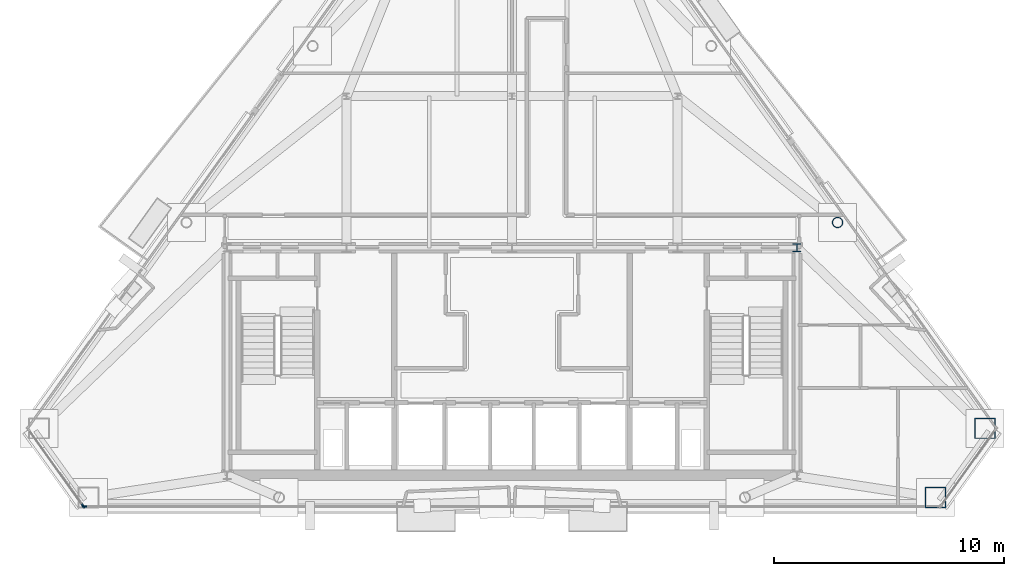
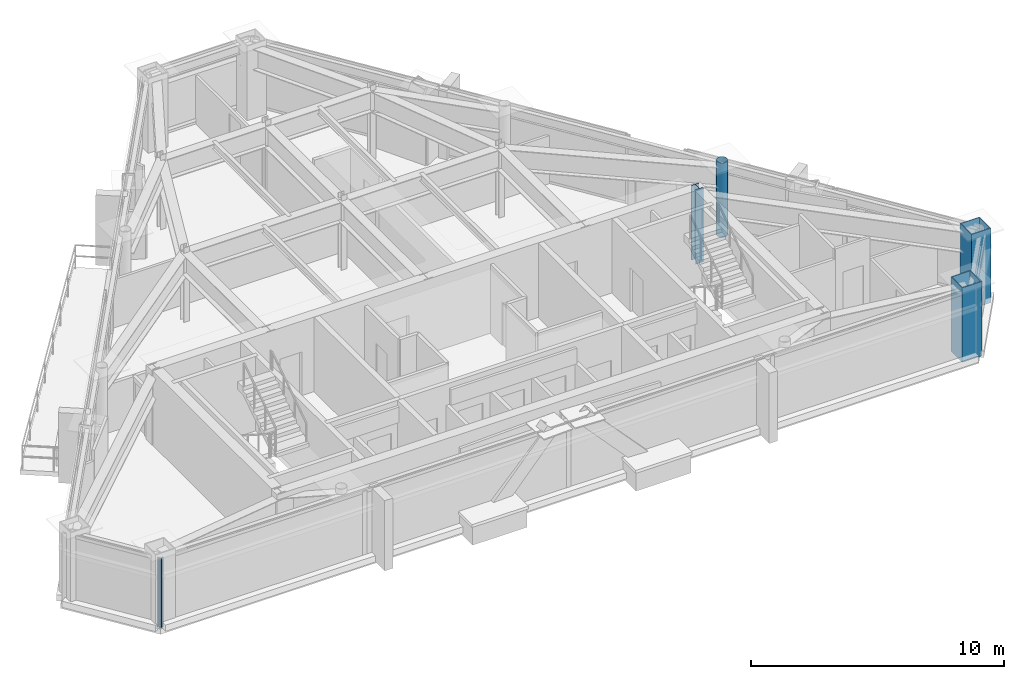
# One storey, part 3 of 12: 4 columns, 2 members, 2 elements without a shape of their own.
"""IFC4 building model written with IfcOpenShell, lengths in metres."""

import ifcopenshell
import ifcopenshell.guid

model = None  # the IFC model being written
_history = None  # IfcOwnerHistory: only IFC2X3 demands one
_inside = {}  # id of a spatial element -> (the spatial element, [elements in it])
_under = {}  # id of a project, library or spatial element -> (it, [spatial elements below it])
_declared = {}  # id of a project -> (the project, [libraries it declares])
_typed = {}  # id of a type object -> (the type object, [elements of that type])
_made_of = {}  # id of a material, layer set ... -> (it, [elements and type objects made of it])


def new_model(schema):
    """Start an empty IFC model of exactly this schema.

    Asked for "IFC4X3", IfcOpenShell would pick the latest addendum, in which some entities
    have other attributes; the version numbers below select the first issue.
    IFC2X3 requires an IfcOwnerHistory on every rooted entity: one is made here for all.
    """
    global model, _history
    if schema == "IFC4X3":
        model = ifcopenshell.file(schema_version=(4, 3, 0, 0))
    else:
        model = ifcopenshell.file(schema=schema)
    _inside.clear()
    _under.clear()
    _declared.clear()
    _typed.clear()
    _made_of.clear()
    _history = None
    if model.schema == "IFC2X3":
        org = make("IfcOrganization", Name="unknown")
        user = make(
            "IfcPersonAndOrganization",
            ThePerson=make("IfcPerson", FamilyName="unknown"),
            TheOrganization=org,
        )
        app = make(
            "IfcApplication",
            ApplicationDeveloper=org,
            Version="unknown",
            ApplicationFullName="unknown",
            ApplicationIdentifier="unknown",
        )
        _history = make(
            "IfcOwnerHistory",
            OwningUser=user,
            OwningApplication=app,
            ChangeAction="ADDED",
            CreationDate=0,
        )
    return model


def make(cls, **values):
    """One entity of the class cls with the attributes given. An attribute that is None is left unset."""
    return model.create_entity(
        cls, **{name: value for name, value in values.items() if value is not None}
    )


def rooted(cls, **values):
    """An entity with a GlobalId (a new one), such as an element, a storey or a relation."""
    return make(cls, GlobalId=ifcopenshell.guid.new(), OwnerHistory=_history, **values)


def si_unit(unit_type, name, prefix=None):
    """IfcSIUnit, for example si_unit("LENGTHUNIT", "METRE", prefix="MILLI")."""
    return make("IfcSIUnit", UnitType=unit_type, Prefix=prefix, Name=name)


def assignment(units):
    """IfcUnitAssignment: the units of a project."""
    return None if units is None else make("IfcUnitAssignment", Units=units)


def point(xyz):
    """IfcCartesianPoint."""
    return None if xyz is None else make("IfcCartesianPoint", Coordinates=xyz)


def direction(xyz):
    """IfcDirection."""
    return None if xyz is None else make("IfcDirection", DirectionRatios=xyz)


def frame(location, z_axis=None, x_axis=None):
    """IfcAxis2Placement3D, a coordinate frame: its origin and axes. An axis left out is left unset."""
    return make(
        "IfcAxis2Placement3D",
        Location=point(location),
        Axis=direction(z_axis),
        RefDirection=direction(x_axis),
    )


def frame_2d(location, x_axis=None):
    """IfcAxis2Placement2D, a coordinate frame in the plane: its origin and x axis."""
    return make(
        "IfcAxis2Placement2D", Location=point(location), RefDirection=direction(x_axis)
    )


def origin():
    """The frame at (0, 0, 0) with its axes left unset."""
    return frame((0.0, 0.0, 0.0))


def origin_2d():
    """The frame at (0, 0) in the plane with its x axis left unset."""
    return frame_2d((0.0, 0.0))


def place(relative_to, where):
    """IfcLocalPlacement: puts the frame where relative to a parent placement (None: the world)."""
    return make(
        "IfcLocalPlacement", PlacementRelTo=relative_to, RelativePlacement=where
    )


def context(
    kind, dimensions, precision=None, world=None, true_north=None, identifier=None
):
    """IfcGeometricRepresentationContext, for example the 3D "Model" context."""
    return make(
        "IfcGeometricRepresentationContext",
        ContextIdentifier=identifier,
        ContextType=kind,
        CoordinateSpaceDimension=dimensions,
        Precision=precision,
        WorldCoordinateSystem=world,
        TrueNorth=true_north,
    )


def subcontext(parent, identifier, kind, view, scale=None):
    """IfcGeometricRepresentationSubContext, for example "Body" below "Model"."""
    return make(
        "IfcGeometricRepresentationSubContext",
        ContextIdentifier=identifier,
        ContextType=kind,
        ParentContext=parent,
        TargetScale=scale,
        TargetView=view,
    )


def project(units=None, contexts=None):
    """IfcProject with its units and contexts."""
    return rooted(
        "IfcProject",
        Name="project",
        RepresentationContexts=contexts,
        UnitsInContext=assignment(units),
    )


def spatial(cls, under=None, at=None, **own):
    """A site, building, storey or space (cls), placed at a placement, below another one or the project."""
    s = rooted(cls, ObjectPlacement=at, **own)
    if under is not None:
        _under.setdefault(under.id(), (under, []))[1].append(s)
    return s


def profile(cls, at=None, kind="AREA", **sizes):
    """A parametric profile (cls). Its sizes go by their IFC names, for example OverallWidth=200.0."""
    return make(cls, ProfileType=kind, Position=at, **sizes)


def rectangle(**sizes):
    """IfcRectangleProfileDef."""
    return profile("IfcRectangleProfileDef", **sizes)


def hollow_rectangle(**sizes):
    """IfcRectangleHollowProfileDef."""
    return profile("IfcRectangleHollowProfileDef", **sizes)


def hollow_circle(**sizes):
    """IfcCircleHollowProfileDef."""
    return profile("IfcCircleHollowProfileDef", **sizes)


def i_section(**sizes):
    """IfcIShapeProfileDef."""
    return profile("IfcIShapeProfileDef", **sizes)


def extrude(swept, where, along, depth):
    """IfcExtrudedAreaSolid: the profile swept, set in the frame where, extruded along a direction by depth."""
    return make(
        "IfcExtrudedAreaSolid",
        SweptArea=swept,
        Position=where,
        ExtrudedDirection=direction(along),
        Depth=depth,
    )


def shape(context_of_items, identifier, shape_type, items):
    """IfcShapeRepresentation: the items that make up one representation, for example the "Body"."""
    return make(
        "IfcShapeRepresentation",
        ContextOfItems=context_of_items,
        RepresentationIdentifier=identifier,
        RepresentationType=shape_type,
        Items=items,
    )


def material(Name=None, Category=None):
    """IfcMaterial."""
    return make("IfcMaterial", Name=Name, Category=Category)


def layer(
    of_material, thickness, ventilated=None, Name=None, Category=None, Priority=None
):
    """IfcMaterialLayer: one layer of a wall or slab, of a material (None: an air gap)."""
    return make(
        "IfcMaterialLayer",
        Material=of_material,
        LayerThickness=thickness,
        IsVentilated=ventilated,
        Name=Name,
        Category=Category,
        Priority=Priority,
    )


def layer_set(layers, Name=None):
    """IfcMaterialLayerSet."""
    return make("IfcMaterialLayerSet", MaterialLayers=layers, LayerSetName=Name)


def material_profile(
    of_material, cross_section, Name=None, Category=None, Priority=None
):
    """IfcMaterialProfile: a cross section and its material."""
    return make(
        "IfcMaterialProfile",
        Name=Name,
        Material=of_material,
        Profile=cross_section,
        Priority=Priority,
        Category=Category,
    )


def profile_set(profiles, Name=None, composite=None):
    """IfcMaterialProfileSet."""
    return make(
        "IfcMaterialProfileSet",
        Name=Name,
        MaterialProfiles=profiles,
        CompositeProfile=composite,
    )


def made_of(thing, what):
    """Note that an element or type object is made of a material, layer set ...; save() writes the relation."""
    if what is not None:
        _made_of.setdefault(what.id(), (what, []))[1].append(thing)
    return thing


def type_object(cls, material=None, **own):
    """A type object (cls), such as IfcWallType, which elements share."""
    return made_of(rooted(cls, **own), material)


def element(
    cls,
    number,
    at=None,
    inside=None,
    cuts=None,
    type_object=None,
    material=None,
    context=None,
    identifier="Body",
    shape_type=None,
    held_by="IfcProductDefinitionShape",
    body=None,
    shapes=None,
    **own,
):
    """One element of the class cls, such as IfcWall. Its Tag is "e" and its number.

    at: its placement. inside: the storey or other place that contains it. cuts: it is an
    opening in that element (IfcRelVoidsElement). A single representation is given by context,
    identifier, shape_type and body (its items); several are given by shapes. held_by: the class
    of the entity that holds the representations. save() writes the other relations.
    """
    e = rooted(cls, Tag="e%d" % number, ObjectPlacement=at, **own)
    if body is not None:
        shapes = [shape(context, identifier, shape_type, body)]
    if shapes is not None:
        e.Representation = make(held_by, Representations=shapes)
    if inside is not None:
        _inside.setdefault(inside.id(), (inside, []))[1].append(e)
    if cuts is not None:
        rooted(
            "IfcRelVoidsElement", RelatingBuildingElement=cuts, RelatedOpeningElement=e
        )
    if type_object is not None:
        _typed.setdefault(type_object.id(), (type_object, []))[1].append(e)
    return made_of(e, material)


def aggregate(whole, parts):
    """IfcRelAggregates: a whole, such as a stair, and the parts it consists of."""
    return rooted("IfcRelAggregates", RelatingObject=whole, RelatedObjects=parts)


def save(model, path):
    """Write the relations noted so far, then the file.

    IfcRelAggregates (storeys below a building ...), IfcRelContainedInSpatialStructure (elements
    in a storey), IfcRelDefinesByType, IfcRelAssociatesMaterial and IfcRelDeclares: one each for
    every whole, place, type object, material and project.
    """
    for whole, parts in _under.values():
        aggregate(whole, parts)
    for where, things in _inside.values():
        rooted(
            "IfcRelContainedInSpatialStructure",
            RelatedElements=things,
            RelatingStructure=where,
        )
    for kind, things in _typed.values():
        rooted("IfcRelDefinesByType", RelatedObjects=things, RelatingType=kind)
    for what, things in _made_of.values():
        rooted("IfcRelAssociatesMaterial", RelatedObjects=things, RelatingMaterial=what)
    for by, libraries in _declared.values():
        rooted("IfcRelDeclares", RelatingContext=by, RelatedDefinitions=libraries)
    model.write(path)


model = new_model("IFC4")

# Units and contexts
model_context = context("Model", 3, precision=1e-05, world=origin(), true_north=direction((0.0, 1.0)))
body_context = subcontext(model_context, "Body", "Model", "MODEL_VIEW")
ifc_project = project(units=[si_unit("LENGTHUNIT", "METRE"), si_unit("AREAUNIT", "SQUARE_METRE"), si_unit("VOLUMEUNIT", "CUBIC_METRE"), si_unit("PLANEANGLEUNIT", "RADIAN"), si_unit("MASSUNIT", "GRAM", prefix="KILO")], contexts=[model_context])

# Site, building, storey
site_placement = place(None, origin())
site = spatial("IfcSite", under=ifc_project, at=site_placement, CompositionType="ELEMENT")
building_placement = place(site_placement, origin())
building = spatial("IfcBuilding", under=site, at=building_placement, Name="Talgorran Terracotta Tower", CompositionType="ELEMENT")
storey_placement = place(building_placement, frame((0.0, 0.0, 259.800048828125)))
storey = spatial("IfcBuildingStorey", under=building, at=storey_placement, Name="L68", CompositionType="ELEMENT", Elevation=259.800048828125)

# Columns
ifc_material_1 = material(Name="Steel S355 (300PLUS)", Category="steel")
ifc_material_profile_1 = material_profile(ifc_material_1, i_section(OverallWidth=0.35205078125, OverallDepth=0.35888671875, WebThickness=0.01806640625, FlangeThickness=0.02587890625, at=origin_2d()), Name="350WC197")
ifc_profile_set_1 = profile_set([ifc_material_profile_1], Name="Steel S355 (300PLUS)")
column_type_1 = type_object("IfcColumnType", Name="COL_350WC197", PredefinedType="COLUMN", material=ifc_profile_set_1)
column_1_placement = place(storey_placement, frame((12.39990234375, -4.199951171875, 0.0), z_axis=(0.0, 0.0, 1.0), x_axis=(1.0, 0.0, 0.0)))
element("IfcColumn", 1, at=column_1_placement, inside=storey, type_object=column_type_1, Name="L68 Core Boundary Column CC3", PredefinedType="COLUMN", context=body_context, shape_type="SweptSolid", body=[
    extrude(i_section(OverallWidth=0.35205078125, OverallDepth=0.35888671875, WebThickness=0.01806640625, FlangeThickness=0.02587890625, at=origin_2d()), origin(), (0.0, 0.0, 1.0), 3.599853515625),
])
ifc_material_2 = material(Name="Steel Grade 350 (350L0)", Category="steel")
ifc_material_profile_2 = material_profile(ifc_material_2, hollow_rectangle(XDim=0.89990234375, YDim=0.89990234375, WallThickness=0.0400390625, at=origin_2d()), Name="CFT900X900X40")
ifc_profile_set_2 = profile_set([ifc_material_profile_2], Name="Steel Grade 350 (350L0)")
column_type_2 = type_object("IfcColumnType", Name="COL_CFT_900", PredefinedType="COLUMN", material=ifc_profile_set_2)
for number, where, z_axis, x_axis, name in (
    (2, (18.43212890625, -15.063232421875, 0.0), (0.0, 0.0, 1.0), (1.0, 0.0, 0.0), "L68 Corner CFT Mega-Column MC3"),
    (3, (20.585205078125, -12.056640625, 0.0), (0.0, 0.0, 1.0), (1.0, 0.0, 0.0), "L68 Corner CFT Mega-Column MC4"),
):
    element("IfcColumn", number, at=place(storey_placement, frame(where, z_axis=z_axis, x_axis=x_axis)), inside=storey, type_object=column_type_2, Name=name, PredefinedType="COLUMN", context=body_context, shape_type="SweptSolid", body=[
        extrude(hollow_rectangle(XDim=0.89990234375, YDim=0.89990234375, WallThickness=0.0400390625, at=origin_2d()), origin(), (0.0, 0.0, 1.0), 3.599853515625),
    ])
ifc_material_3 = material(Name="Steel S350 (C350L0)", Category="steel")
ifc_material_profile_3 = material_profile(ifc_material_3, hollow_circle(Radius=0.228515625, WallThickness=0.01611328125, at=origin_2d()), Name="CHS457X16")
ifc_profile_set_3 = profile_set([ifc_material_profile_3], Name="Steel S350 (C350L0)")
column_type_3 = type_object("IfcColumnType", Name="COL_CHS_457", PredefinedType="COLUMN", material=ifc_profile_set_3)
column_2_placement = place(storey_placement, frame((14.170654296875, -3.09912109375, 0.0), z_axis=(0.0, 0.0, 1.0), x_axis=(1.0, 0.0, 0.0)))
element("IfcColumn", 4, at=column_2_placement, inside=storey, type_object=column_type_3, Name="L68 Facet Perimeter Column FC3", PredefinedType="COLUMN", context=body_context, shape_type="SweptSolid", body=[
    extrude(hollow_circle(Radius=0.228515625, WallThickness=0.01611328125, at=origin_2d()), origin(), (0.0, 0.0, 1.0), 3.599853515625),
])

# Curtain wall, member
ifc_material_4 = material(Name="High-Wind Unitised Glazing", Category="glass")
ifc_layer = layer(ifc_material_4, 0.2099609375, Name="CW_SYS3_RES_HIGH")
ifc_layer_set = layer_set([ifc_layer], Name="High-Wind Unitised Glazing")
curtain_wall_type = type_object("IfcCurtainWallType", Name="CW_SYS3_RES_HIGH", PredefinedType="NOTDEFINED", material=ifc_layer_set)
curtain_wall_1_placement = place(storey_placement, origin())
curtain_wall_1 = element("IfcCurtainWall", 5, at=curtain_wall_1_placement, inside=storey, type_object=curtain_wall_type, Name="CW-L68-F0", PredefinedType="NOTDEFINED")
ifc_material_5 = material(Name="Architectural Aluminium 6063-T6", Category="aluminium")
ifc_material_profile_4 = material_profile(ifc_material_5, rectangle(XDim=0.070068359375, YDim=0.199951171875, at=origin_2d()), Name="CWM70X200")
ifc_profile_set_4 = profile_set([ifc_material_profile_4], Name="Architectural Aluminium 6063-T6")
member_type = type_object("IfcMemberType", Name="MUL_70X200", PredefinedType="MULLION", material=ifc_profile_set_4)
member_1_placement = place(storey_placement, frame((-18.657958984375, -15.434814453125, 0.0), z_axis=(0.0, 0.0, 1.0), x_axis=(0.813031401137, 0.582219838862, 0.0)))
member_1 = element("IfcMember", 6, at=member_1_placement, type_object=member_type, Name="CW-L68-0 mullion 2", PredefinedType="MULLION", context=body_context, shape_type="SweptSolid", body=[
    extrude(rectangle(XDim=0.070068359375, YDim=0.199951171875, at=origin_2d()), origin(), (0.0, 0.0, 1.0), 3.344970703125),
])
aggregate(curtain_wall_1, [member_1])

curtain_wall_2_placement = place(storey_placement, origin())
curtain_wall_2 = element("IfcCurtainWall", 7, at=curtain_wall_2_placement, inside=storey, type_object=curtain_wall_type, Name="CW-L68-F1", PredefinedType="NOTDEFINED")
member_2_placement = place(storey_placement, frame((-18.6025390625, -15.46337890625, 0.0), z_axis=(0.0, 0.0, 1.0), x_axis=(0.0, 1.0, 0.0)))
member_2 = element("IfcMember", 8, at=member_2_placement, type_object=member_type, Name="CW-L68-1 mullion 1", PredefinedType="MULLION", context=body_context, shape_type="SweptSolid", body=[
    extrude(rectangle(XDim=0.070068359375, YDim=0.199951171875, at=origin_2d()), origin(), (0.0, 0.0, 1.0), 3.344970703125),
])
aggregate(curtain_wall_2, [member_2])

save(model, "model.ifc")
